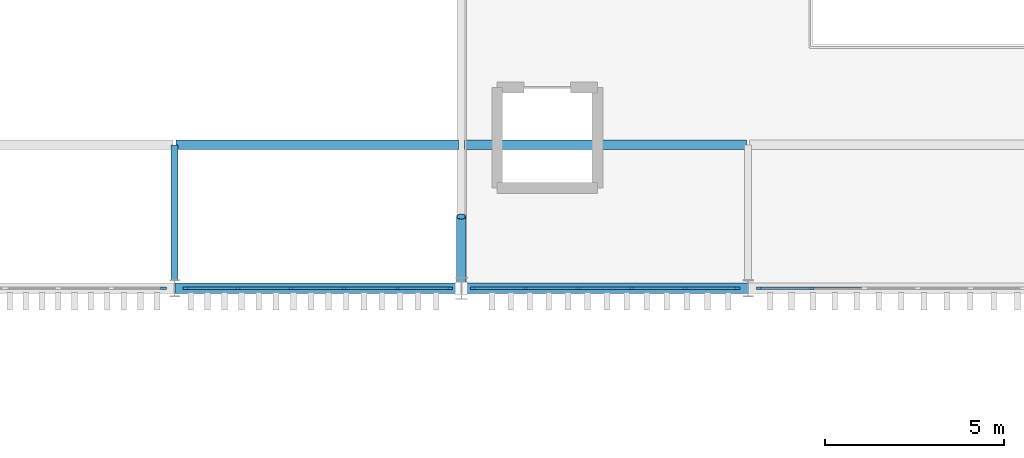
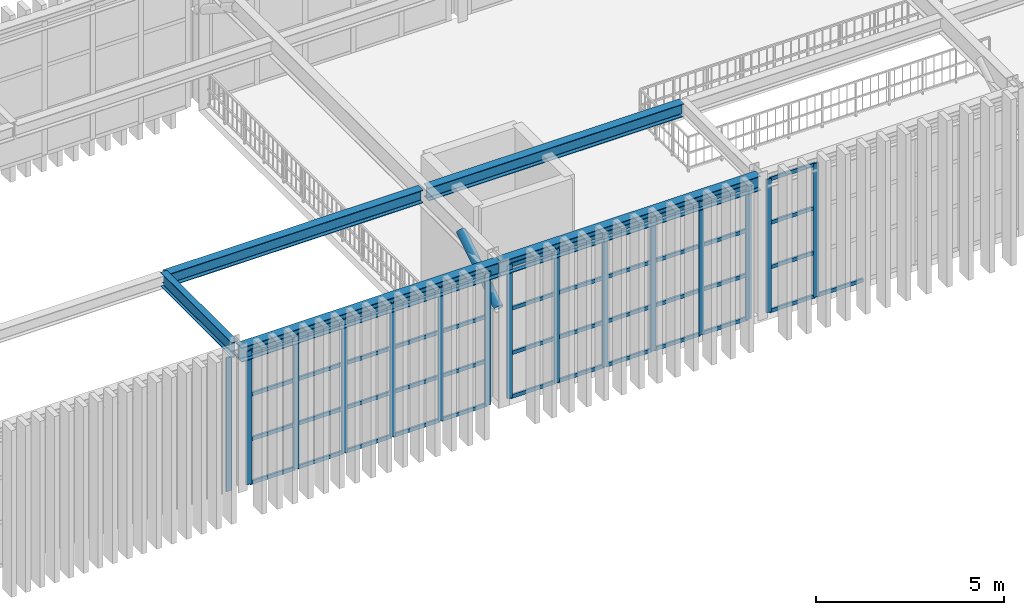
# One storey, part 17 of 61: 61 members, 5 beams, 4 elements without a shape of their own.
"""IFC4 building model written with IfcOpenShell, lengths in metres."""

from ifc_helpers import new_model, si_unit, direction, frame, origin, origin_2d, place, context, subcontext, project, spatial, rectangle, hollow_circle, i_section, extrude, material, material_profile, profile_set, type_object, element, aggregate, save


model = new_model("IFC4")

# Units and contexts
model_context = context("Model", 3, precision=1e-05, world=origin(), true_north=direction((0.0, 1.0)))
body_context = subcontext(model_context, "Body", "Model", "MODEL_VIEW")
ifc_project = project(units=[si_unit("LENGTHUNIT", "METRE"), si_unit("AREAUNIT", "SQUARE_METRE"), si_unit("VOLUMEUNIT", "CUBIC_METRE"), si_unit("PLANEANGLEUNIT", "RADIAN"), si_unit("MASSUNIT", "GRAM", prefix="KILO")], contexts=[model_context])

# Site, building, storey
site_placement = place(None, origin())
site = spatial("IfcSite", under=ifc_project, at=site_placement, CompositionType="ELEMENT")
building_placement = place(site_placement, origin())
building = spatial("IfcBuilding", under=site, at=building_placement, Name="Serraluz Foothill Cableway Terminal", CompositionType="ELEMENT")
storey_placement = place(building_placement, frame((0.0, 0.0, 15.0)))
storey = spatial("IfcBuildingStorey", under=building, at=storey_placement, Name="L03", CompositionType="ELEMENT", Elevation=15.0)

# Curtain wall, member
ifc_material_1 = material(Name="Architectural bronze alloy C28000", Category="aluminium")
curtain_wall_type_1 = type_object("IfcCurtainWallType", Name="TYP-CW-540X420", PredefinedType="NOTDEFINED", material=ifc_material_1)
curtain_wall_1_placement = place(storey_placement, origin())
curtain_wall_1 = element("IfcCurtainWall", 1, at=curtain_wall_1_placement, inside=storey, type_object=curtain_wall_type_1, Name="Ribbed Glazed Curtain Wall CW-V1S-L03-56", PredefinedType="NOTDEFINED")
ifc_material_profile_1 = material_profile(ifc_material_1, rectangle(XDim=0.06005859375, YDim=0.159912109375, at=origin_2d()), Name="ALU MULLION 60x160")
ifc_profile_set_1 = profile_set([ifc_material_profile_1], Name="Architectural bronze alloy C28000")
member_type_1 = type_object("IfcMemberType", Name="TYP-CW-MUL-60X160", PredefinedType="MULLION", material=ifc_profile_set_1)
member_1_placement = place(storey_placement, frame((63.6884765625, 56.0, 0.0), z_axis=(0.0, 0.0, 1.0), x_axis=(0.0, -1.0, 0.0)))
member_1 = element("IfcMember", 2, at=member_1_placement, type_object=member_type_1, Name="CW-10 mullion 1", PredefinedType="MULLION", context=body_context, shape_type="SweptSolid", body=[
    extrude(rectangle(XDim=0.06005859375, YDim=0.159912109375, at=origin_2d()), origin(), (0.0, 0.0, 1.0), 4.35009765625),
])
aggregate(curtain_wall_1, [member_1])

# Curtain wall, members
curtain_wall_type_2 = type_object("IfcCurtainWallType", Name="TYP-CW-620X420", PredefinedType="NOTDEFINED", material=ifc_material_1)
curtain_wall_2_placement = place(storey_placement, origin())
curtain_wall_2 = element("IfcCurtainWall", 3, at=curtain_wall_2_placement, inside=storey, type_object=curtain_wall_type_2, Name="Ribbed Glazed Curtain Wall CW-V1S-L03-64", PredefinedType="NOTDEFINED")
member_2_placement = place(storey_placement, frame((71.66748046875, 56.0, 0.0), z_axis=(0.0, 0.0, 1.0), x_axis=(0.0, -1.0, 0.0)))
member_2 = element("IfcMember", 4, at=member_2_placement, type_object=member_type_1, Name="CW-11 mullion 1", PredefinedType="MULLION", context=body_context, shape_type="SweptSolid", body=[
    extrude(rectangle(XDim=0.06005859375, YDim=0.159912109375, at=origin_2d()), origin(), (0.0, 0.0, 1.0), 4.35009765625),
])
member_3_placement = place(storey_placement, frame((70.21435546875, 56.0, 0.0), z_axis=(0.0, 0.0, 1.0), x_axis=(0.0, -1.0, 0.0)))
member_3 = element("IfcMember", 5, at=member_3_placement, type_object=member_type_1, Name="CW-11 mullion 2", PredefinedType="MULLION", context=body_context, shape_type="SweptSolid", body=[
    extrude(rectangle(XDim=0.06005859375, YDim=0.159912109375, at=origin_2d()), origin(), (0.0, 0.0, 1.0), 4.35009765625),
])
member_4_placement = place(storey_placement, frame((68.731201171875, 56.0, 0.0), z_axis=(0.0, 0.0, 1.0), x_axis=(0.0, -1.0, 0.0)))
member_4 = element("IfcMember", 6, at=member_4_placement, type_object=member_type_1, Name="CW-11 mullion 3", PredefinedType="MULLION", context=body_context, shape_type="SweptSolid", body=[
    extrude(rectangle(XDim=0.06005859375, YDim=0.159912109375, at=origin_2d()), origin(), (0.0, 0.0, 1.0), 4.35009765625),
])
member_5_placement = place(storey_placement, frame((67.247802734375, 56.0, 0.0), z_axis=(0.0, 0.0, 1.0), x_axis=(0.0, -1.0, 0.0)))
member_5 = element("IfcMember", 7, at=member_5_placement, type_object=member_type_1, Name="CW-11 mullion 4", PredefinedType="MULLION", context=body_context, shape_type="SweptSolid", body=[
    extrude(rectangle(XDim=0.06005859375, YDim=0.159912109375, at=origin_2d()), origin(), (0.0, 0.0, 1.0), 4.35009765625),
])
member_6_placement = place(storey_placement, frame((65.7646484375, 56.0, 0.0), z_axis=(0.0, 0.0, 1.0), x_axis=(0.0, -1.0, 0.0)))
member_6 = element("IfcMember", 8, at=member_6_placement, type_object=member_type_1, Name="CW-11 mullion 5", PredefinedType="MULLION", context=body_context, shape_type="SweptSolid", body=[
    extrude(rectangle(XDim=0.06005859375, YDim=0.159912109375, at=origin_2d()), origin(), (0.0, 0.0, 1.0), 4.35009765625),
])
member_7_placement = place(storey_placement, frame((64.3115234375, 56.0, 0.0), z_axis=(0.0, 0.0, 1.0), x_axis=(0.0, -1.0, 0.0)))
member_7 = element("IfcMember", 9, at=member_7_placement, type_object=member_type_1, Name="CW-11 mullion 6", PredefinedType="MULLION", context=body_context, shape_type="SweptSolid", body=[
    extrude(rectangle(XDim=0.06005859375, YDim=0.159912109375, at=origin_2d()), origin(), (0.0, 0.0, 1.0), 4.35009765625),
])

curtain_wall_type_3 = type_object("IfcCurtainWallType", Name="TYP-CW-640X440", PredefinedType="NOTDEFINED", material=ifc_material_1)
curtain_wall_3_placement = place(storey_placement, origin())
curtain_wall_3 = element("IfcCurtainWall", 10, at=curtain_wall_3_placement, inside=storey, type_object=curtain_wall_type_3, Name="Ribbed Glazed Curtain Wall CW-V1S-L03-72", PredefinedType="NOTDEFINED")
member_8_placement = place(storey_placement, frame((79.6884765625, 56.0, 0.0), z_axis=(0.0, 0.0, 1.0), x_axis=(0.0, -1.0, 0.0)))
member_8 = element("IfcMember", 11, at=member_8_placement, type_object=member_type_1, Name="CW-12 mullion 1", PredefinedType="MULLION", context=body_context, shape_type="SweptSolid", body=[
    extrude(rectangle(XDim=0.06005859375, YDim=0.159912109375, at=origin_2d()), origin(), (0.0, 0.0, 1.0), 4.35009765625),
])
member_9_placement = place(storey_placement, frame((78.2353515625, 56.0, 0.0), z_axis=(0.0, 0.0, 1.0), x_axis=(0.0, -1.0, 0.0)))
member_9 = element("IfcMember", 12, at=member_9_placement, type_object=member_type_1, Name="CW-12 mullion 2", PredefinedType="MULLION", context=body_context, shape_type="SweptSolid", body=[
    extrude(rectangle(XDim=0.06005859375, YDim=0.159912109375, at=origin_2d()), origin(), (0.0, 0.0, 1.0), 4.35009765625),
])
member_10_placement = place(storey_placement, frame((76.752197265625, 56.0, 0.0), z_axis=(0.0, 0.0, 1.0), x_axis=(0.0, -1.0, 0.0)))
member_10 = element("IfcMember", 13, at=member_10_placement, type_object=member_type_1, Name="CW-12 mullion 3", PredefinedType="MULLION", context=body_context, shape_type="SweptSolid", body=[
    extrude(rectangle(XDim=0.06005859375, YDim=0.159912109375, at=origin_2d()), origin(), (0.0, 0.0, 1.0), 4.35009765625),
])
member_11_placement = place(storey_placement, frame((75.268798828125, 56.0, 0.0), z_axis=(0.0, 0.0, 1.0), x_axis=(0.0, -1.0, 0.0)))
member_11 = element("IfcMember", 14, at=member_11_placement, type_object=member_type_1, Name="CW-12 mullion 4", PredefinedType="MULLION", context=body_context, shape_type="SweptSolid", body=[
    extrude(rectangle(XDim=0.06005859375, YDim=0.159912109375, at=origin_2d()), origin(), (0.0, 0.0, 1.0), 4.35009765625),
])
member_12_placement = place(storey_placement, frame((73.78564453125, 56.0, 0.0), z_axis=(0.0, 0.0, 1.0), x_axis=(0.0, -1.0, 0.0)))
member_12 = element("IfcMember", 15, at=member_12_placement, type_object=member_type_1, Name="CW-12 mullion 5", PredefinedType="MULLION", context=body_context, shape_type="SweptSolid", body=[
    extrude(rectangle(XDim=0.06005859375, YDim=0.159912109375, at=origin_2d()), origin(), (0.0, 0.0, 1.0), 4.35009765625),
])
member_13_placement = place(storey_placement, frame((72.33251953125, 56.0, 0.0), z_axis=(0.0, 0.0, 1.0), x_axis=(0.0, -1.0, 0.0)))
member_13 = element("IfcMember", 16, at=member_13_placement, type_object=member_type_1, Name="CW-12 mullion 6", PredefinedType="MULLION", context=body_context, shape_type="SweptSolid", body=[
    extrude(rectangle(XDim=0.06005859375, YDim=0.159912109375, at=origin_2d()), origin(), (0.0, 0.0, 1.0), 4.35009765625),
])

curtain_wall_type_4 = type_object("IfcCurtainWallType", Name="TYP-CW-680X420", PredefinedType="NOTDEFINED", material=ifc_material_1)
curtain_wall_4_placement = place(storey_placement, origin())
curtain_wall_4 = element("IfcCurtainWall", 17, at=curtain_wall_4_placement, inside=storey, type_object=curtain_wall_type_4, Name="Ribbed Glazed Curtain Wall CW-V1S-L03-80", PredefinedType="NOTDEFINED")
member_14_placement = place(storey_placement, frame((81.7646484375, 56.0, 0.0), z_axis=(0.0, 0.0, 1.0), x_axis=(0.0, -1.0, 0.0)))
member_14 = element("IfcMember", 18, at=member_14_placement, type_object=member_type_1, Name="CW-13 mullion 5", PredefinedType="MULLION", context=body_context, shape_type="SweptSolid", body=[
    extrude(rectangle(XDim=0.06005859375, YDim=0.159912109375, at=origin_2d()), origin(), (0.0, 0.0, 1.0), 4.35009765625),
])
member_15_placement = place(storey_placement, frame((80.3115234375, 56.0, 0.0), z_axis=(0.0, 0.0, 1.0), x_axis=(0.0, -1.0, 0.0)))
member_15 = element("IfcMember", 19, at=member_15_placement, type_object=member_type_1, Name="CW-13 mullion 6", PredefinedType="MULLION", context=body_context, shape_type="SweptSolid", body=[
    extrude(rectangle(XDim=0.06005859375, YDim=0.159912109375, at=origin_2d()), origin(), (0.0, 0.0, 1.0), 4.35009765625),
])

# Member
ifc_material_profile_2 = material_profile(ifc_material_1, rectangle(XDim=0.06005859375, YDim=0.1201171875, at=origin_2d()), Name="ALU TRANSOM 60x120")
ifc_profile_set_2 = profile_set([ifc_material_profile_2], Name="Architectural bronze alloy C28000")
member_type_2 = type_object("IfcMemberType", Name="TYP-CW-TRN-60X120", PredefinedType="USERDEFINED", material=ifc_profile_set_2)
member_16_placement = place(storey_placement, frame((71.637451171875, 56.0, 0.030029296875), z_axis=(-1.0, 0.0, 0.0), x_axis=(0.0, -1.0, 0.0)))
member_16 = element("IfcMember", 20, at=member_16_placement, type_object=member_type_2, Name="CW-11 transom 1.1", ObjectType="TRANSOM", PredefinedType="USERDEFINED", context=body_context, shape_type="SweptSolid", body=[
    extrude(rectangle(XDim=0.06005859375, YDim=0.1201171875, at=origin_2d()), origin(), (0.0, 0.0, 1.0), 1.39306640625),
])

member_17_placement = place(storey_placement, frame((71.637451171875, 56.0, 1.449951171875), z_axis=(-1.0, 0.0, 0.0), x_axis=(0.0, -1.0, 0.0)))
member_17 = element("IfcMember", 21, at=member_17_placement, type_object=member_type_2, Name="CW-11 transom 1.2", ObjectType="TRANSOM", PredefinedType="USERDEFINED", context=body_context, shape_type="SweptSolid", body=[
    extrude(rectangle(XDim=0.06005859375, YDim=0.1201171875, at=origin_2d()), origin(), (0.0, 0.0, 1.0), 1.39306640625),
])

member_18_placement = place(storey_placement, frame((71.637451171875, 56.0, 2.89990234375), z_axis=(-1.0, 0.0, 0.0), x_axis=(0.0, -1.0, 0.0)))
member_18 = element("IfcMember", 22, at=member_18_placement, type_object=member_type_2, Name="CW-11 transom 1.3", ObjectType="TRANSOM", PredefinedType="USERDEFINED", context=body_context, shape_type="SweptSolid", body=[
    extrude(rectangle(XDim=0.06005859375, YDim=0.1201171875, at=origin_2d()), origin(), (0.0, 0.0, 1.0), 1.39306640625),
])

member_19_placement = place(storey_placement, frame((71.637451171875, 56.0, 4.320068359375), z_axis=(-1.0, 0.0, 0.0), x_axis=(0.0, -1.0, 0.0)))
member_19 = element("IfcMember", 23, at=member_19_placement, type_object=member_type_2, Name="CW-11 transom 1.4", ObjectType="TRANSOM", PredefinedType="USERDEFINED", context=body_context, shape_type="SweptSolid", body=[
    extrude(rectangle(XDim=0.06005859375, YDim=0.1201171875, at=origin_2d()), origin(), (0.0, 0.0, 1.0), 1.39306640625),
])

member_20_placement = place(storey_placement, frame((70.184326171875, 56.0, 0.030029296875), z_axis=(-1.0, 0.0, 0.0), x_axis=(0.0, -1.0, 0.0)))
member_20 = element("IfcMember", 24, at=member_20_placement, type_object=member_type_2, Name="CW-11 transom 2.1", ObjectType="TRANSOM", PredefinedType="USERDEFINED", context=body_context, shape_type="SweptSolid", body=[
    extrude(rectangle(XDim=0.06005859375, YDim=0.1201171875, at=origin_2d()), origin(), (0.0, 0.0, 1.0), 1.42333984375),
])

member_21_placement = place(storey_placement, frame((70.184326171875, 56.0, 1.449951171875), z_axis=(-1.0, 0.0, 0.0), x_axis=(0.0, -1.0, 0.0)))
member_21 = element("IfcMember", 25, at=member_21_placement, type_object=member_type_2, Name="CW-11 transom 2.2", ObjectType="TRANSOM", PredefinedType="USERDEFINED", context=body_context, shape_type="SweptSolid", body=[
    extrude(rectangle(XDim=0.06005859375, YDim=0.1201171875, at=origin_2d()), origin(), (0.0, 0.0, 1.0), 1.42333984375),
])

member_22_placement = place(storey_placement, frame((70.184326171875, 56.0, 2.89990234375), z_axis=(-1.0, 0.0, 0.0), x_axis=(0.0, -1.0, 0.0)))
member_22 = element("IfcMember", 26, at=member_22_placement, type_object=member_type_2, Name="CW-11 transom 2.3", ObjectType="TRANSOM", PredefinedType="USERDEFINED", context=body_context, shape_type="SweptSolid", body=[
    extrude(rectangle(XDim=0.06005859375, YDim=0.1201171875, at=origin_2d()), origin(), (0.0, 0.0, 1.0), 1.42333984375),
])

member_23_placement = place(storey_placement, frame((70.184326171875, 56.0, 4.320068359375), z_axis=(-1.0, 0.0, 0.0), x_axis=(0.0, -1.0, 0.0)))
member_23 = element("IfcMember", 27, at=member_23_placement, type_object=member_type_2, Name="CW-11 transom 2.4", ObjectType="TRANSOM", PredefinedType="USERDEFINED", context=body_context, shape_type="SweptSolid", body=[
    extrude(rectangle(XDim=0.06005859375, YDim=0.1201171875, at=origin_2d()), origin(), (0.0, 0.0, 1.0), 1.42333984375),
])

member_24_placement = place(storey_placement, frame((68.701171875, 56.0, 0.030029296875), z_axis=(-1.0, 0.0, 0.0), x_axis=(0.0, -1.0, 0.0)))
member_24 = element("IfcMember", 28, at=member_24_placement, type_object=member_type_2, Name="CW-11 transom 3.1", ObjectType="TRANSOM", PredefinedType="USERDEFINED", context=body_context, shape_type="SweptSolid", body=[
    extrude(rectangle(XDim=0.06005859375, YDim=0.1201171875, at=origin_2d()), origin(), (0.0, 0.0, 1.0), 1.42333984375),
])

member_25_placement = place(storey_placement, frame((68.701171875, 56.0, 1.449951171875), z_axis=(-1.0, 0.0, 0.0), x_axis=(0.0, -1.0, 0.0)))
member_25 = element("IfcMember", 29, at=member_25_placement, type_object=member_type_2, Name="CW-11 transom 3.2", ObjectType="TRANSOM", PredefinedType="USERDEFINED", context=body_context, shape_type="SweptSolid", body=[
    extrude(rectangle(XDim=0.06005859375, YDim=0.1201171875, at=origin_2d()), origin(), (0.0, 0.0, 1.0), 1.42333984375),
])

member_26_placement = place(storey_placement, frame((68.701171875, 56.0, 2.89990234375), z_axis=(-1.0, 0.0, 0.0), x_axis=(0.0, -1.0, 0.0)))
member_26 = element("IfcMember", 30, at=member_26_placement, type_object=member_type_2, Name="CW-11 transom 3.3", ObjectType="TRANSOM", PredefinedType="USERDEFINED", context=body_context, shape_type="SweptSolid", body=[
    extrude(rectangle(XDim=0.06005859375, YDim=0.1201171875, at=origin_2d()), origin(), (0.0, 0.0, 1.0), 1.42333984375),
])

member_27_placement = place(storey_placement, frame((68.701171875, 56.0, 4.320068359375), z_axis=(-1.0, 0.0, 0.0), x_axis=(0.0, -1.0, 0.0)))
member_27 = element("IfcMember", 31, at=member_27_placement, type_object=member_type_2, Name="CW-11 transom 3.4", ObjectType="TRANSOM", PredefinedType="USERDEFINED", context=body_context, shape_type="SweptSolid", body=[
    extrude(rectangle(XDim=0.06005859375, YDim=0.1201171875, at=origin_2d()), origin(), (0.0, 0.0, 1.0), 1.42333984375),
])

member_28_placement = place(storey_placement, frame((67.218017578125, 56.0, 0.030029296875), z_axis=(-1.0, 0.0, 0.0), x_axis=(0.0, -1.0, 0.0)))
member_28 = element("IfcMember", 32, at=member_28_placement, type_object=member_type_2, Name="CW-11 transom 4.1", ObjectType="TRANSOM", PredefinedType="USERDEFINED", context=body_context, shape_type="SweptSolid", body=[
    extrude(rectangle(XDim=0.06005859375, YDim=0.1201171875, at=origin_2d()), origin(), (0.0, 0.0, 1.0), 1.42333984375),
])

member_29_placement = place(storey_placement, frame((67.218017578125, 56.0, 1.449951171875), z_axis=(-1.0, 0.0, 0.0), x_axis=(0.0, -1.0, 0.0)))
member_29 = element("IfcMember", 33, at=member_29_placement, type_object=member_type_2, Name="CW-11 transom 4.2", ObjectType="TRANSOM", PredefinedType="USERDEFINED", context=body_context, shape_type="SweptSolid", body=[
    extrude(rectangle(XDim=0.06005859375, YDim=0.1201171875, at=origin_2d()), origin(), (0.0, 0.0, 1.0), 1.42333984375),
])

member_30_placement = place(storey_placement, frame((67.218017578125, 56.0, 2.89990234375), z_axis=(-1.0, 0.0, 0.0), x_axis=(0.0, -1.0, 0.0)))
member_30 = element("IfcMember", 34, at=member_30_placement, type_object=member_type_2, Name="CW-11 transom 4.3", ObjectType="TRANSOM", PredefinedType="USERDEFINED", context=body_context, shape_type="SweptSolid", body=[
    extrude(rectangle(XDim=0.06005859375, YDim=0.1201171875, at=origin_2d()), origin(), (0.0, 0.0, 1.0), 1.42333984375),
])

member_31_placement = place(storey_placement, frame((67.218017578125, 56.0, 4.320068359375), z_axis=(-1.0, 0.0, 0.0), x_axis=(0.0, -1.0, 0.0)))
member_31 = element("IfcMember", 35, at=member_31_placement, type_object=member_type_2, Name="CW-11 transom 4.4", ObjectType="TRANSOM", PredefinedType="USERDEFINED", context=body_context, shape_type="SweptSolid", body=[
    extrude(rectangle(XDim=0.06005859375, YDim=0.1201171875, at=origin_2d()), origin(), (0.0, 0.0, 1.0), 1.42333984375),
])

member_32_placement = place(storey_placement, frame((65.734619140625, 56.0, 0.030029296875), z_axis=(-1.0, 0.0, 0.0), x_axis=(0.0, -1.0, 0.0)))
member_32 = element("IfcMember", 36, at=member_32_placement, type_object=member_type_2, Name="CW-11 transom 5.1", ObjectType="TRANSOM", PredefinedType="USERDEFINED", context=body_context, shape_type="SweptSolid", body=[
    extrude(rectangle(XDim=0.06005859375, YDim=0.1201171875, at=origin_2d()), origin(), (0.0, 0.0, 1.0), 1.39306640625),
])

member_33_placement = place(storey_placement, frame((65.734619140625, 56.0, 1.449951171875), z_axis=(-1.0, 0.0, 0.0), x_axis=(0.0, -1.0, 0.0)))
member_33 = element("IfcMember", 37, at=member_33_placement, type_object=member_type_2, Name="CW-11 transom 5.2", ObjectType="TRANSOM", PredefinedType="USERDEFINED", context=body_context, shape_type="SweptSolid", body=[
    extrude(rectangle(XDim=0.06005859375, YDim=0.1201171875, at=origin_2d()), origin(), (0.0, 0.0, 1.0), 1.39306640625),
])

member_34_placement = place(storey_placement, frame((65.734619140625, 56.0, 2.89990234375), z_axis=(-1.0, 0.0, 0.0), x_axis=(0.0, -1.0, 0.0)))
member_34 = element("IfcMember", 38, at=member_34_placement, type_object=member_type_2, Name="CW-11 transom 5.3", ObjectType="TRANSOM", PredefinedType="USERDEFINED", context=body_context, shape_type="SweptSolid", body=[
    extrude(rectangle(XDim=0.06005859375, YDim=0.1201171875, at=origin_2d()), origin(), (0.0, 0.0, 1.0), 1.39306640625),
])

member_35_placement = place(storey_placement, frame((65.734619140625, 56.0, 4.320068359375), z_axis=(-1.0, 0.0, 0.0), x_axis=(0.0, -1.0, 0.0)))
member_35 = element("IfcMember", 39, at=member_35_placement, type_object=member_type_2, Name="CW-11 transom 5.4", ObjectType="TRANSOM", PredefinedType="USERDEFINED", context=body_context, shape_type="SweptSolid", body=[
    extrude(rectangle(XDim=0.06005859375, YDim=0.1201171875, at=origin_2d()), origin(), (0.0, 0.0, 1.0), 1.39306640625),
])

aggregate(curtain_wall_2, [member_2, member_3, member_4, member_5, member_6, member_7, member_16, member_17, member_18, member_19, member_20, member_21, member_22, member_23, member_24, member_25, member_26, member_27, member_28, member_29, member_30, member_31, member_32, member_33, member_34, member_35])

member_36_placement = place(storey_placement, frame((79.658447265625, 56.0, 0.030029296875), z_axis=(-1.0, 0.0, 0.0), x_axis=(0.0, -1.0, 0.0)))
member_36 = element("IfcMember", 40, at=member_36_placement, type_object=member_type_2, Name="CW-12 transom 1.1", ObjectType="TRANSOM", PredefinedType="USERDEFINED", context=body_context, shape_type="SweptSolid", body=[
    extrude(rectangle(XDim=0.06005859375, YDim=0.1201171875, at=origin_2d()), origin(), (0.0, 0.0, 1.0), 1.39306640625),
])

member_37_placement = place(storey_placement, frame((79.658447265625, 56.0, 1.449951171875), z_axis=(-1.0, 0.0, 0.0), x_axis=(0.0, -1.0, 0.0)))
member_37 = element("IfcMember", 41, at=member_37_placement, type_object=member_type_2, Name="CW-12 transom 1.2", ObjectType="TRANSOM", PredefinedType="USERDEFINED", context=body_context, shape_type="SweptSolid", body=[
    extrude(rectangle(XDim=0.06005859375, YDim=0.1201171875, at=origin_2d()), origin(), (0.0, 0.0, 1.0), 1.39306640625),
])

member_38_placement = place(storey_placement, frame((79.658447265625, 56.0, 2.89990234375), z_axis=(-1.0, 0.0, 0.0), x_axis=(0.0, -1.0, 0.0)))
member_38 = element("IfcMember", 42, at=member_38_placement, type_object=member_type_2, Name="CW-12 transom 1.3", ObjectType="TRANSOM", PredefinedType="USERDEFINED", context=body_context, shape_type="SweptSolid", body=[
    extrude(rectangle(XDim=0.06005859375, YDim=0.1201171875, at=origin_2d()), origin(), (0.0, 0.0, 1.0), 1.39306640625),
])

member_39_placement = place(storey_placement, frame((79.658447265625, 56.0, 4.320068359375), z_axis=(-1.0, 0.0, 0.0), x_axis=(0.0, -1.0, 0.0)))
member_39 = element("IfcMember", 43, at=member_39_placement, type_object=member_type_2, Name="CW-12 transom 1.4", ObjectType="TRANSOM", PredefinedType="USERDEFINED", context=body_context, shape_type="SweptSolid", body=[
    extrude(rectangle(XDim=0.06005859375, YDim=0.1201171875, at=origin_2d()), origin(), (0.0, 0.0, 1.0), 1.39306640625),
])

member_40_placement = place(storey_placement, frame((78.205322265625, 56.0, 0.030029296875), z_axis=(-1.0, 0.0, 0.0), x_axis=(0.0, -1.0, 0.0)))
member_40 = element("IfcMember", 44, at=member_40_placement, type_object=member_type_2, Name="CW-12 transom 2.1", ObjectType="TRANSOM", PredefinedType="USERDEFINED", context=body_context, shape_type="SweptSolid", body=[
    extrude(rectangle(XDim=0.06005859375, YDim=0.1201171875, at=origin_2d()), origin(), (0.0, 0.0, 1.0), 1.42333984375),
])

member_41_placement = place(storey_placement, frame((78.205322265625, 56.0, 1.449951171875), z_axis=(-1.0, 0.0, 0.0), x_axis=(0.0, -1.0, 0.0)))
member_41 = element("IfcMember", 45, at=member_41_placement, type_object=member_type_2, Name="CW-12 transom 2.2", ObjectType="TRANSOM", PredefinedType="USERDEFINED", context=body_context, shape_type="SweptSolid", body=[
    extrude(rectangle(XDim=0.06005859375, YDim=0.1201171875, at=origin_2d()), origin(), (0.0, 0.0, 1.0), 1.42333984375),
])

member_42_placement = place(storey_placement, frame((78.205322265625, 56.0, 2.89990234375), z_axis=(-1.0, 0.0, 0.0), x_axis=(0.0, -1.0, 0.0)))
member_42 = element("IfcMember", 46, at=member_42_placement, type_object=member_type_2, Name="CW-12 transom 2.3", ObjectType="TRANSOM", PredefinedType="USERDEFINED", context=body_context, shape_type="SweptSolid", body=[
    extrude(rectangle(XDim=0.06005859375, YDim=0.1201171875, at=origin_2d()), origin(), (0.0, 0.0, 1.0), 1.42333984375),
])

member_43_placement = place(storey_placement, frame((78.205322265625, 56.0, 4.320068359375), z_axis=(-1.0, 0.0, 0.0), x_axis=(0.0, -1.0, 0.0)))
member_43 = element("IfcMember", 47, at=member_43_placement, type_object=member_type_2, Name="CW-12 transom 2.4", ObjectType="TRANSOM", PredefinedType="USERDEFINED", context=body_context, shape_type="SweptSolid", body=[
    extrude(rectangle(XDim=0.06005859375, YDim=0.1201171875, at=origin_2d()), origin(), (0.0, 0.0, 1.0), 1.42333984375),
])

member_44_placement = place(storey_placement, frame((76.72216796875, 56.0, 0.030029296875), z_axis=(-1.0, 0.0, 0.0), x_axis=(0.0, -1.0, 0.0)))
member_44 = element("IfcMember", 48, at=member_44_placement, type_object=member_type_2, Name="CW-12 transom 3.1", ObjectType="TRANSOM", PredefinedType="USERDEFINED", context=body_context, shape_type="SweptSolid", body=[
    extrude(rectangle(XDim=0.06005859375, YDim=0.1201171875, at=origin_2d()), origin(), (0.0, 0.0, 1.0), 1.42333984375),
])

member_45_placement = place(storey_placement, frame((76.72216796875, 56.0, 1.449951171875), z_axis=(-1.0, 0.0, 0.0), x_axis=(0.0, -1.0, 0.0)))
member_45 = element("IfcMember", 49, at=member_45_placement, type_object=member_type_2, Name="CW-12 transom 3.2", ObjectType="TRANSOM", PredefinedType="USERDEFINED", context=body_context, shape_type="SweptSolid", body=[
    extrude(rectangle(XDim=0.06005859375, YDim=0.1201171875, at=origin_2d()), origin(), (0.0, 0.0, 1.0), 1.42333984375),
])

member_46_placement = place(storey_placement, frame((76.72216796875, 56.0, 2.89990234375), z_axis=(-1.0, 0.0, 0.0), x_axis=(0.0, -1.0, 0.0)))
member_46 = element("IfcMember", 50, at=member_46_placement, type_object=member_type_2, Name="CW-12 transom 3.3", ObjectType="TRANSOM", PredefinedType="USERDEFINED", context=body_context, shape_type="SweptSolid", body=[
    extrude(rectangle(XDim=0.06005859375, YDim=0.1201171875, at=origin_2d()), origin(), (0.0, 0.0, 1.0), 1.42333984375),
])

member_47_placement = place(storey_placement, frame((76.72216796875, 56.0, 4.320068359375), z_axis=(-1.0, 0.0, 0.0), x_axis=(0.0, -1.0, 0.0)))
member_47 = element("IfcMember", 51, at=member_47_placement, type_object=member_type_2, Name="CW-12 transom 3.4", ObjectType="TRANSOM", PredefinedType="USERDEFINED", context=body_context, shape_type="SweptSolid", body=[
    extrude(rectangle(XDim=0.06005859375, YDim=0.1201171875, at=origin_2d()), origin(), (0.0, 0.0, 1.0), 1.42333984375),
])

member_48_placement = place(storey_placement, frame((75.239013671875, 56.0, 0.030029296875), z_axis=(-1.0, 0.0, 0.0), x_axis=(0.0, -1.0, 0.0)))
member_48 = element("IfcMember", 52, at=member_48_placement, type_object=member_type_2, Name="CW-12 transom 4.1", ObjectType="TRANSOM", PredefinedType="USERDEFINED", context=body_context, shape_type="SweptSolid", body=[
    extrude(rectangle(XDim=0.06005859375, YDim=0.1201171875, at=origin_2d()), origin(), (0.0, 0.0, 1.0), 1.42333984375),
])

member_49_placement = place(storey_placement, frame((75.239013671875, 56.0, 1.449951171875), z_axis=(-1.0, 0.0, 0.0), x_axis=(0.0, -1.0, 0.0)))
member_49 = element("IfcMember", 53, at=member_49_placement, type_object=member_type_2, Name="CW-12 transom 4.2", ObjectType="TRANSOM", PredefinedType="USERDEFINED", context=body_context, shape_type="SweptSolid", body=[
    extrude(rectangle(XDim=0.06005859375, YDim=0.1201171875, at=origin_2d()), origin(), (0.0, 0.0, 1.0), 1.42333984375),
])

member_50_placement = place(storey_placement, frame((75.239013671875, 56.0, 2.89990234375), z_axis=(-1.0, 0.0, 0.0), x_axis=(0.0, -1.0, 0.0)))
member_50 = element("IfcMember", 54, at=member_50_placement, type_object=member_type_2, Name="CW-12 transom 4.3", ObjectType="TRANSOM", PredefinedType="USERDEFINED", context=body_context, shape_type="SweptSolid", body=[
    extrude(rectangle(XDim=0.06005859375, YDim=0.1201171875, at=origin_2d()), origin(), (0.0, 0.0, 1.0), 1.42333984375),
])

member_51_placement = place(storey_placement, frame((75.239013671875, 56.0, 4.320068359375), z_axis=(-1.0, 0.0, 0.0), x_axis=(0.0, -1.0, 0.0)))
member_51 = element("IfcMember", 55, at=member_51_placement, type_object=member_type_2, Name="CW-12 transom 4.4", ObjectType="TRANSOM", PredefinedType="USERDEFINED", context=body_context, shape_type="SweptSolid", body=[
    extrude(rectangle(XDim=0.06005859375, YDim=0.1201171875, at=origin_2d()), origin(), (0.0, 0.0, 1.0), 1.42333984375),
])

member_52_placement = place(storey_placement, frame((73.755615234375, 56.0, 0.030029296875), z_axis=(-1.0, 0.0, 0.0), x_axis=(0.0, -1.0, 0.0)))
member_52 = element("IfcMember", 56, at=member_52_placement, type_object=member_type_2, Name="CW-12 transom 5.1", ObjectType="TRANSOM", PredefinedType="USERDEFINED", context=body_context, shape_type="SweptSolid", body=[
    extrude(rectangle(XDim=0.06005859375, YDim=0.1201171875, at=origin_2d()), origin(), (0.0, 0.0, 1.0), 1.39306640625),
])

member_53_placement = place(storey_placement, frame((73.755615234375, 56.0, 1.449951171875), z_axis=(-1.0, 0.0, 0.0), x_axis=(0.0, -1.0, 0.0)))
member_53 = element("IfcMember", 57, at=member_53_placement, type_object=member_type_2, Name="CW-12 transom 5.2", ObjectType="TRANSOM", PredefinedType="USERDEFINED", context=body_context, shape_type="SweptSolid", body=[
    extrude(rectangle(XDim=0.06005859375, YDim=0.1201171875, at=origin_2d()), origin(), (0.0, 0.0, 1.0), 1.39306640625),
])

member_54_placement = place(storey_placement, frame((73.755615234375, 56.0, 2.89990234375), z_axis=(-1.0, 0.0, 0.0), x_axis=(0.0, -1.0, 0.0)))
member_54 = element("IfcMember", 58, at=member_54_placement, type_object=member_type_2, Name="CW-12 transom 5.3", ObjectType="TRANSOM", PredefinedType="USERDEFINED", context=body_context, shape_type="SweptSolid", body=[
    extrude(rectangle(XDim=0.06005859375, YDim=0.1201171875, at=origin_2d()), origin(), (0.0, 0.0, 1.0), 1.39306640625),
])

member_55_placement = place(storey_placement, frame((73.755615234375, 56.0, 4.320068359375), z_axis=(-1.0, 0.0, 0.0), x_axis=(0.0, -1.0, 0.0)))
member_55 = element("IfcMember", 59, at=member_55_placement, type_object=member_type_2, Name="CW-12 transom 5.4", ObjectType="TRANSOM", PredefinedType="USERDEFINED", context=body_context, shape_type="SweptSolid", body=[
    extrude(rectangle(XDim=0.06005859375, YDim=0.1201171875, at=origin_2d()), origin(), (0.0, 0.0, 1.0), 1.39306640625),
])

aggregate(curtain_wall_3, [member_8, member_9, member_10, member_11, member_12, member_13, member_36, member_37, member_38, member_39, member_40, member_41, member_42, member_43, member_44, member_45, member_46, member_47, member_48, member_49, member_50, member_51, member_52, member_53, member_54, member_55])

member_56_placement = place(storey_placement, frame((83.218017578125, 56.0, 0.030029296875), z_axis=(-1.0, 0.0, 0.0), x_axis=(0.0, -1.0, 0.0)))
member_56 = element("IfcMember", 60, at=member_56_placement, type_object=member_type_2, Name="CW-13 transom 4.1", ObjectType="TRANSOM", PredefinedType="USERDEFINED", context=body_context, shape_type="SweptSolid", body=[
    extrude(rectangle(XDim=0.06005859375, YDim=0.1201171875, at=origin_2d()), origin(), (0.0, 0.0, 1.0), 1.42333984375),
])

member_57_placement = place(storey_placement, frame((81.734619140625, 56.0, 0.030029296875), z_axis=(-1.0, 0.0, 0.0), x_axis=(0.0, -1.0, 0.0)))
member_57 = element("IfcMember", 61, at=member_57_placement, type_object=member_type_2, Name="CW-13 transom 5.1", ObjectType="TRANSOM", PredefinedType="USERDEFINED", context=body_context, shape_type="SweptSolid", body=[
    extrude(rectangle(XDim=0.06005859375, YDim=0.1201171875, at=origin_2d()), origin(), (0.0, 0.0, 1.0), 1.39306640625),
])

member_58_placement = place(storey_placement, frame((81.734619140625, 56.0, 1.449951171875), z_axis=(-1.0, 0.0, 0.0), x_axis=(0.0, -1.0, 0.0)))
member_58 = element("IfcMember", 62, at=member_58_placement, type_object=member_type_2, Name="CW-13 transom 5.2", ObjectType="TRANSOM", PredefinedType="USERDEFINED", context=body_context, shape_type="SweptSolid", body=[
    extrude(rectangle(XDim=0.06005859375, YDim=0.1201171875, at=origin_2d()), origin(), (0.0, 0.0, 1.0), 1.39306640625),
])

member_59_placement = place(storey_placement, frame((81.734619140625, 56.0, 2.89990234375), z_axis=(-1.0, 0.0, 0.0), x_axis=(0.0, -1.0, 0.0)))
member_59 = element("IfcMember", 63, at=member_59_placement, type_object=member_type_2, Name="CW-13 transom 5.3", ObjectType="TRANSOM", PredefinedType="USERDEFINED", context=body_context, shape_type="SweptSolid", body=[
    extrude(rectangle(XDim=0.06005859375, YDim=0.1201171875, at=origin_2d()), origin(), (0.0, 0.0, 1.0), 1.39306640625),
])

member_60_placement = place(storey_placement, frame((81.734619140625, 56.0, 4.320068359375), z_axis=(-1.0, 0.0, 0.0), x_axis=(0.0, -1.0, 0.0)))
member_60 = element("IfcMember", 64, at=member_60_placement, type_object=member_type_2, Name="CW-13 transom 5.4", ObjectType="TRANSOM", PredefinedType="USERDEFINED", context=body_context, shape_type="SweptSolid", body=[
    extrude(rectangle(XDim=0.06005859375, YDim=0.1201171875, at=origin_2d()), origin(), (0.0, 0.0, 1.0), 1.39306640625),
])

aggregate(curtain_wall_4, [member_14, member_15, member_56, member_57, member_58, member_59, member_60])

# Beams
ifc_material_2 = material(Name="Steel ASTM A992 Grade 50", Category="steel")
ifc_material_profile_3 = material_profile(ifc_material_2, i_section(OverallWidth=0.260009765625, OverallDepth=0.4189453125, WebThickness=0.01171875, FlangeThickness=0.019287109375, FilletRadius=0.013916015625, at=origin_2d()), Name="W16X77")
ifc_profile_set_3 = profile_set([ifc_material_profile_3], Name="Steel ASTM A992 Grade 50")
beam_type_1 = type_object("IfcBeamType", Name="TYP-JS-W16X77", PredefinedType="JOIST", material=ifc_profile_set_3)
for number, where, z_axis, x_axis, name in (
    (65, (64.0400390625, 60.0, 4.35009765625), (1.0, 0.0, 0.0), (0.0, 1.0, 0.0), "Eaves Gallery Support Beam 64-60"),
    (66, (72.0849609375, 60.0, 4.35009765625), (1.0, 0.0, 0.0), (0.0, 1.0, 0.0), "Eaves Gallery Support Beam 72-60"),
):
    element("IfcBeam", number, at=place(storey_placement, frame(where, z_axis=z_axis, x_axis=x_axis)), inside=storey, type_object=beam_type_1, Name=name, PredefinedType="JOIST", context=body_context, shape_type="SweptSolid", body=[
        extrude(i_section(OverallWidth=0.260009765625, OverallDepth=0.4189453125, WebThickness=0.01171875, FlangeThickness=0.019287109375, FilletRadius=0.013916015625, at=origin_2d()), origin(), (0.0, 0.0, 1.0), 7.875),
    ])
ifc_material_profile_4 = material_profile(ifc_material_2, i_section(OverallWidth=0.193115234375, OverallDepth=0.467041015625, WebThickness=0.011474609375, FlangeThickness=0.01904296875, FilletRadius=0.014892578125, at=origin_2d()), Name="W18X65")
ifc_profile_set_4 = profile_set([ifc_material_profile_4], Name="Steel ASTM A992 Grade 50")
beam_type_2 = type_object("IfcBeamType", Name="TYP-JS-W18X65", PredefinedType="JOIST", material=ifc_profile_set_4)
beam_placement = place(storey_placement, frame((64.0, 56.199951171875, 4.3798828125), z_axis=(0.0, 1.0, 0.0), x_axis=(-1.0, 0.0, 0.0)))
element("IfcBeam", 67, at=beam_placement, inside=storey, type_object=beam_type_2, Name="Eaves Gallery Bracket Tie 64-56", PredefinedType="JOIST", context=body_context, shape_type="SweptSolid", body=[
    extrude(i_section(OverallWidth=0.193115234375, OverallDepth=0.467041015625, WebThickness=0.011474609375, FlangeThickness=0.01904296875, FilletRadius=0.014892578125, at=origin_2d()), origin(), (0.0, 0.0, 1.0), 3.800048828125),
])
ifc_material_profile_5 = material_profile(ifc_material_2, i_section(OverallWidth=0.282958984375, OverallDepth=0.471923828125, WebThickness=0.013671875, FlangeThickness=0.022216796875, FilletRadius=0.014892578125, at=origin_2d()), Name="W18X97")
ifc_profile_set_5 = profile_set([ifc_material_profile_5], Name="Steel ASTM A992 Grade 50")
beam_type_3 = type_object("IfcBeamType", Name="TYP-SP-W18X97", PredefinedType="SPANDREL", material=ifc_profile_set_5)
for number, where, z_axis, x_axis, name in (
    (68, (64.0048828125, 56.0, 4.384033203125), (1.0, 0.0, 0.0), (0.0, 1.0, 0.0), "Primary Girder BM-X-L03-0351"),
    (69, (72.0048828125, 56.0, 4.384033203125), (1.0, 0.0, 0.0), (0.0, 1.0, 0.0), "Primary Girder BM-X-L03-0352"),
):
    element("IfcBeam", number, at=place(storey_placement, frame(where, z_axis=z_axis, x_axis=x_axis)), inside=storey, type_object=beam_type_3, Name=name, PredefinedType="SPANDREL", context=body_context, shape_type="SweptSolid", body=[
        extrude(i_section(OverallWidth=0.282958984375, OverallDepth=0.471923828125, WebThickness=0.013671875, FlangeThickness=0.022216796875, FilletRadius=0.014892578125, at=origin_2d()), origin(), (0.0, 0.0, 1.0), 7.990234375),
    ])

# Member
ifc_material_3 = material(Name="Steel ASTM A572 Grade 50", Category="steel")
ifc_material_profile_6 = material_profile(ifc_material_3, hollow_circle(Radius=0.136474609375, WallThickness=0.011962890625, at=origin_2d()), Name="CHS273X12")
ifc_profile_set_6 = profile_set([ifc_material_profile_6], Name="Steel ASTM A572 Grade 50")
member_type_3 = type_object("IfcMemberType", Name="TYP-ST-CHS273", PredefinedType="STRUT", material=ifc_profile_set_6)
member_61_placement = place(storey_placement, frame((72.0, 56.0, 3.050048828125), z_axis=(0.0, 0.838434262763, 0.545002740383), x_axis=(-1.0, 0.0, 0.0)))
element("IfcMember", 70, at=member_61_placement, inside=storey, type_object=member_type_3, Name="Portal Knee Strut STRUT-TR-03-S", PredefinedType="STRUT", context=body_context, shape_type="SweptSolid", body=[
    extrude(hollow_circle(Radius=0.136474609375, WallThickness=0.011962890625, at=origin_2d()), origin(), (0.0, 0.0, 1.0), 2.385498046875),
])

save(model, "model.ifc")
